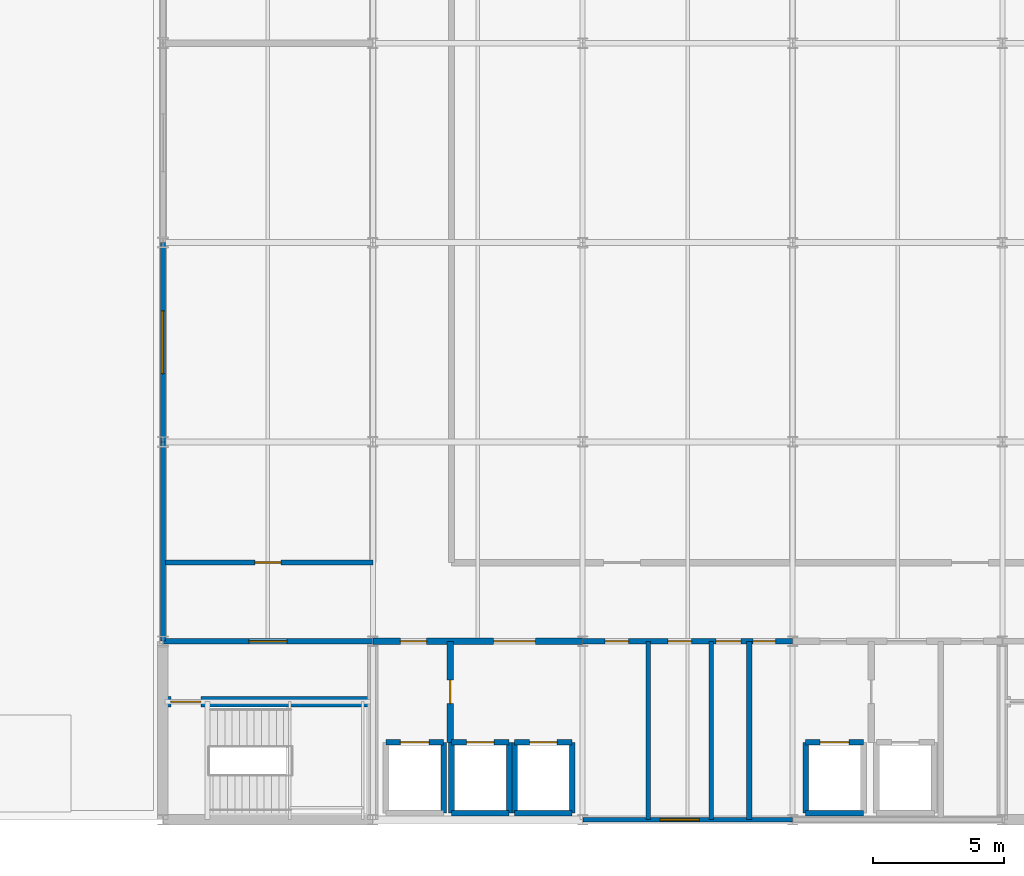
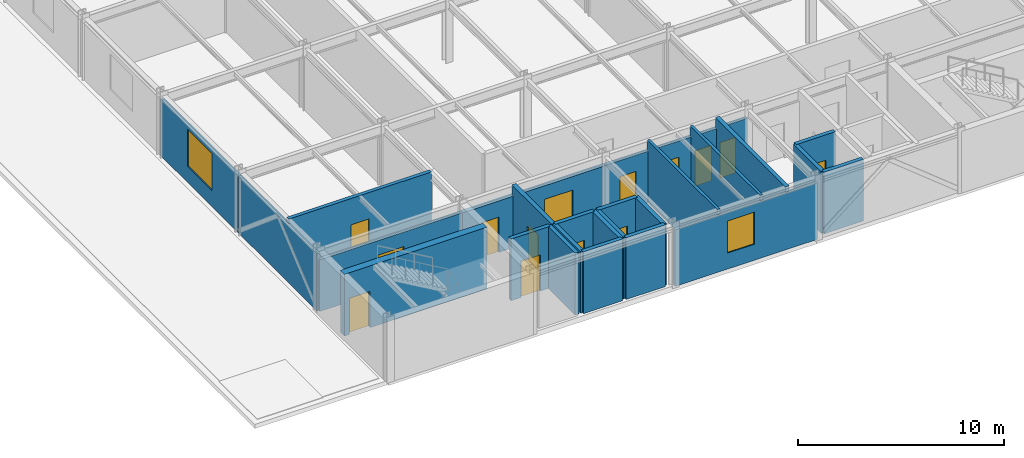
# One storey, part 40 of 46: 25 walls, 14 doors, 2 windows, 16 openings.
"""IFC4 building model written with IfcOpenShell, lengths in metres."""

from ifc_helpers import new_model, si_unit, direction, frame, frame_2d, origin, place, context, subcontext, project, spatial, rectangle, extrude, material, layer, layer_set, type_object, element, fill, save


model = new_model("IFC4")

# Units and contexts
model_context = context("Model", 3, precision=1e-05, world=origin(), true_north=direction((0.0, 1.0)))
body_context = subcontext(model_context, "Body", "Model", "MODEL_VIEW")
ifc_project = project(units=[si_unit("LENGTHUNIT", "METRE"), si_unit("AREAUNIT", "SQUARE_METRE"), si_unit("VOLUMEUNIT", "CUBIC_METRE"), si_unit("PLANEANGLEUNIT", "RADIAN"), si_unit("MASSUNIT", "GRAM", prefix="KILO")], contexts=[model_context])

# Site, building, storey
site_placement = place(None, origin())
site = spatial("IfcSite", under=ifc_project, at=site_placement, CompositionType="ELEMENT")
building_placement = place(site_placement, origin())
building = spatial("IfcBuilding", under=site, at=building_placement, Name="Shalkamar Park Central Library", CompositionType="ELEMENT")
storey_placement = place(building_placement, frame((0.0, 0.0, 20.39990234375)))
storey = spatial("IfcBuildingStorey", under=building, at=storey_placement, Name="L05", CompositionType="ELEMENT", Elevation=20.39990234375)

# Wall, opening, door
ifc_material_1 = material(Name="Reinforced fire-compartment masonry wall", Category="masonry")
ifc_layer_1 = layer(ifc_material_1, 0.239990234375)
ifc_layer_set_1 = layer_set([ifc_layer_1], Name="CompartmentWall_240")
wall_type_1 = type_object("IfcWallType", Name="Compartment Wall 240", PredefinedType="PARTITIONING", material=ifc_layer_set_1)
wall_1_placement = place(storey_placement, frame((175.949951171875, 251.35009765625, 0.0), z_axis=(0.0, 0.0, 1.0), x_axis=(0.0, 1.0, 0.0)))
wall_1 = element("IfcWall", 1, at=wall_1_placement, inside=storey, type_object=wall_type_1, Name="Interior Partition WL-INT-L05-001", PredefinedType="PARTITIONING", context=body_context, shape_type="SweptSolid", body=[
    extrude(rectangle(XDim=3.849853515625, YDim=0.239990234375, at=frame_2d((1.9248046875, 0.0))), origin(), (0.0, 0.0, 1.0), 3.66015625),
])
opening_1_placement = place(wall_1_placement, frame((1.47509765625, 0.0, 0.0)))
opening_1 = element("IfcOpeningElement", 2, at=opening_1_placement, cuts=wall_1, Name="Opening DR-L05-001", PredefinedType="OPENING", context=body_context, shape_type="SweptSolid", body=[
    extrude(rectangle(XDim=0.89990234375, YDim=2.10009765625, at=frame_2d((0.449951171875, 1.050048828125))), frame((0.0, 0.134765625, 0.0), z_axis=(0.0, -1.0, 0.0), x_axis=(1.0, 0.0, 0.0)), (0.0, 0.0, 1.0), 0.269775390625),
])
ifc_material_2 = material(Name="Steel S355", Category="steel")
door_type_1 = type_object("IfcDoorType", Name="Fire Door Single 900x2100", OperationType="NOTDEFINED", PredefinedType="DOOR", material=ifc_material_2)
door_1_placement = place(opening_1_placement, origin())
door_1 = element("IfcDoor", 3, at=door_1_placement, inside=storey, type_object=door_type_1, Name="Fire Lobby Interconnect Door", OperationType="SINGLE_SWING_LEFT", OverallHeight=2.10009765625, OverallWidth=0.89990234375, PredefinedType="DOOR", context=body_context, shape_type="SweptSolid", body=[
    extrude(rectangle(XDim=0.89990234375, YDim=2.10009765625, at=frame_2d((0.449951171875, 1.050048828125))), frame((0.0, 0.02490234375, 0.0), z_axis=(0.0, -1.0, 0.0), x_axis=(1.0, 0.0, 0.0)), (0.0, 0.0, 1.0), 0.050048828125),
])
fill(opening_1, door_1)

# Wall, openings, doors
wall_2_placement = place(storey_placement, frame((173.0, 255.199951171875, 0.0), z_axis=(0.0, 0.0, 1.0), x_axis=(1.0, 0.0, 0.0)))
wall_2 = element("IfcWall", 4, at=wall_2_placement, inside=storey, type_object=wall_type_1, Name="Interior Partition WL-INT-L05-007", PredefinedType="PARTITIONING", context=body_context, shape_type="SweptSolid", body=[
    extrude(rectangle(XDim=8.0, YDim=0.239990234375, at=frame_2d((4.0, 0.0))), origin(), (0.0, 0.0, 1.0), 3.05810546875),
])
opening_2_placement = place(wall_2_placement, frame((1.050048828125, 0.0, 0.0)))
opening_2 = element("IfcOpeningElement", 5, at=opening_2_placement, cuts=wall_2, Name="Opening DR-L05-003", PredefinedType="OPENING", context=body_context, shape_type="SweptSolid", body=[
    extrude(rectangle(XDim=1.0, YDim=2.10009765625, at=frame_2d((0.5, 1.050048828125))), frame((0.0, 0.134765625, 0.0), z_axis=(0.0, -1.0, 0.0), x_axis=(1.0, 0.0, 0.0)), (0.0, 0.0, 1.0), 0.269775390625),
])
opening_3_placement = place(wall_2_placement, frame((4.60009765625, 0.0, 0.0)))
opening_3 = element("IfcOpeningElement", 6, at=opening_3_placement, cuts=wall_2, Name="Opening DR-L05-004", PredefinedType="OPENING", context=body_context, shape_type="SweptSolid", body=[
    extrude(rectangle(XDim=1.60009765625, YDim=2.25, at=frame_2d((0.800048828125, 1.125))), frame((0.0, 0.134765625, 0.0), z_axis=(0.0, -1.0, 0.0), x_axis=(1.0, 0.0, 0.0)), (0.0, 0.0, 1.0), 0.269775390625),
])
door_type_2 = type_object("IfcDoorType", Name="Fire Door Single 1000x2100", OperationType="NOTDEFINED", PredefinedType="DOOR", material=ifc_material_2)
door_2_placement = place(opening_2_placement, origin())
door_2 = element("IfcDoor", 7, at=door_2_placement, inside=storey, type_object=door_type_2, Name="West Firefighting Lobby Door", OperationType="SINGLE_SWING_LEFT", OverallHeight=2.10009765625, OverallWidth=1.0, PredefinedType="DOOR", context=body_context, shape_type="SweptSolid", body=[
    extrude(rectangle(XDim=1.0, YDim=2.10009765625, at=frame_2d((0.5, 1.050048828125))), frame((0.0, 0.02490234375, 0.0), z_axis=(0.0, -1.0, 0.0), x_axis=(1.0, 0.0, 0.0)), (0.0, 0.0, 1.0), 0.050048828125),
])
fill(opening_2, door_2)
door_type_3 = type_object("IfcDoorType", Name="Interior Door Double 1600x2250", OperationType="DOUBLE_DOOR_SINGLE_SWING", PredefinedType="DOOR", material=ifc_material_2)
door_3_placement = place(opening_3_placement, frame((1.60009765625, 0.0, 0.0), z_axis=(0.0, 0.0, 1.0), x_axis=(-1.0, 0.0, 0.0)))
door_3 = element("IfcDoor", 8, at=door_3_placement, inside=storey, type_object=door_type_3, Name="West Lift Lobby Entrance", OperationType="DOUBLE_DOOR_SINGLE_SWING", OverallHeight=2.25, OverallWidth=1.60009765625, PredefinedType="DOOR", context=body_context, shape_type="SweptSolid", body=[
    extrude(rectangle(XDim=1.60009765625, YDim=2.25, at=frame_2d((0.800048828125, 1.125))), frame((0.0, 0.02490234375, 0.0), z_axis=(0.0, -1.0, 0.0), x_axis=(1.0, 0.0, 0.0)), (0.0, 0.0, 1.0), 0.050048828125),
])
fill(opening_3, door_3)

# Wall, opening, door
ifc_material_3 = material(Name="Fire-rated corridor partition wall", Category="masonry")
ifc_layer_2 = layer(ifc_material_3, 0.199951171875)
ifc_layer_set_2 = layer_set([ifc_layer_2], Name="CorridorFireWall_200")
wall_type_2 = type_object("IfcWallType", Name="Corridor Fire Wall 200", PredefinedType="PARTITIONING", material=ifc_layer_set_2)
wall_3_placement = place(storey_placement, frame((165.0, 255.199951171875, 0.0), z_axis=(0.0, 0.0, 1.0), x_axis=(1.0, 0.0, 0.0)))
wall_3 = element("IfcWall", 9, at=wall_3_placement, inside=storey, type_object=wall_type_2, Name="CORE-T1 Vestibule North Wall (L05)", PredefinedType="PARTITIONING", context=body_context, shape_type="SweptSolid", body=[
    extrude(rectangle(XDim=8.0, YDim=0.199951171875, at=frame_2d((4.0, 0.0))), origin(), (0.0, 0.0, 1.0), 3.05810546875),
])
opening_4_placement = place(wall_3_placement, frame((3.27490234375, 0.0, 0.0)))
opening_4 = element("IfcOpeningElement", 10, at=opening_4_placement, cuts=wall_3, Name="Opening DR-ST-T1-L05-VEST", PredefinedType="OPENING", context=body_context, shape_type="SweptSolid", body=[
    extrude(rectangle(XDim=1.449951171875, YDim=2.199951171875, at=frame_2d((0.72509765625, 1.10009765625))), frame((0.0, 0.11474609375, 0.0), z_axis=(0.0, -1.0, 0.0), x_axis=(1.0, 0.0, 0.0)), (0.0, 0.0, 1.0), 0.229736328125),
])
door_type_4 = type_object("IfcDoorType", Name="Stair Vestibule Door 1450x2200", OperationType="DOUBLE_DOOR_SINGLE_SWING", PredefinedType="DOOR", material=ifc_material_2)
door_4_placement = place(opening_4_placement, frame((1.449951171875, 0.0, 0.0), z_axis=(0.0, 0.0, 1.0), x_axis=(-1.0, 0.0, 0.0)))
door_4 = element("IfcDoor", 11, at=door_4_placement, inside=storey, type_object=door_type_4, Name="Protected Stair ST-T1 Vestibule Door (L05)", OperationType="DOUBLE_DOOR_SINGLE_SWING", OverallHeight=2.199951171875, OverallWidth=1.449951171875, PredefinedType="DOOR", context=body_context, shape_type="SweptSolid", body=[
    extrude(rectangle(XDim=1.449951171875, YDim=2.199951171875, at=frame_2d((0.72509765625, 1.10009765625))), frame((0.0, 0.02490234375, 0.0), z_axis=(0.0, -1.0, 0.0), x_axis=(1.0, 0.0, 0.0)), (0.0, 0.0, 1.0), 0.050048828125),
])
fill(opening_4, door_4)

# Wall, openings, doors
wall_4_placement = place(storey_placement, frame((181.0, 255.199951171875, 0.0), z_axis=(0.0, 0.0, 1.0), x_axis=(1.0, 0.0, 0.0)))
wall_4 = element("IfcWall", 12, at=wall_4_placement, inside=storey, type_object=wall_type_2, Name="Interior Partition WL-INT-L05-008", PredefinedType="PARTITIONING", context=body_context, shape_type="SweptSolid", body=[
    extrude(rectangle(XDim=8.0, YDim=0.199951171875, at=frame_2d((4.0, 0.0))), origin(), (0.0, 0.0, 1.0), 3.05810546875),
])
opening_5_placement = place(wall_4_placement, frame((0.85009765625, 0.0, 0.0)))
opening_5 = element("IfcOpeningElement", 13, at=opening_5_placement, cuts=wall_4, Name="Opening DR-L05-005", PredefinedType="OPENING", context=body_context, shape_type="SweptSolid", body=[
    extrude(rectangle(XDim=0.89990234375, YDim=2.10009765625, at=frame_2d((0.449951171875, 1.050048828125))), frame((0.0, 0.11474609375, 0.0), z_axis=(0.0, -1.0, 0.0), x_axis=(1.0, 0.0, 0.0)), (0.0, 0.0, 1.0), 0.229736328125),
])
opening_6_placement = place(wall_4_placement, frame((3.25, 0.0, 0.0)))
opening_6 = element("IfcOpeningElement", 14, at=opening_6_placement, cuts=wall_4, Name="Opening DR-L05-006", PredefinedType="OPENING", context=body_context, shape_type="SweptSolid", body=[
    extrude(rectangle(XDim=0.89990234375, YDim=2.10009765625, at=frame_2d((0.449951171875, 1.050048828125))), frame((0.0, 0.11474609375, 0.0), z_axis=(0.0, -1.0, 0.0), x_axis=(1.0, 0.0, 0.0)), (0.0, 0.0, 1.0), 0.229736328125),
])
opening_7_placement = place(wall_4_placement, frame((5.074951171875, 0.0, 0.0)))
opening_7 = element("IfcOpeningElement", 15, at=opening_7_placement, cuts=wall_4, Name="Opening DR-L05-007", PredefinedType="OPENING", context=body_context, shape_type="SweptSolid", body=[
    extrude(rectangle(XDim=0.949951171875, YDim=2.10009765625, at=frame_2d((0.47509765625, 1.050048828125))), frame((0.0, 0.11474609375, 0.0), z_axis=(0.0, -1.0, 0.0), x_axis=(1.0, 0.0, 0.0)), (0.0, 0.0, 1.0), 0.229736328125),
])
opening_8_placement = place(wall_4_placement, frame((6.5, 0.0, 0.0)))
opening_8 = element("IfcOpeningElement", 16, at=opening_8_placement, cuts=wall_4, Name="Opening DR-L05-008", PredefinedType="OPENING", context=body_context, shape_type="SweptSolid", body=[
    extrude(rectangle(XDim=0.85009765625, YDim=2.10009765625, at=frame_2d((0.425048828125, 1.050048828125))), frame((0.0, 0.11474609375, 0.0), z_axis=(0.0, -1.0, 0.0), x_axis=(1.0, 0.0, 0.0)), (0.0, 0.0, 1.0), 0.229736328125),
])
door_type_5 = type_object("IfcDoorType", Name="Fire Door Riser 850x2100", OperationType="NOTDEFINED", PredefinedType="DOOR", material=ifc_material_2)
door_5_placement = place(opening_8_placement, frame((0.85009765625, 0.0, 0.0), z_axis=(0.0, 0.0, 1.0), x_axis=(-1.0, 0.0, 0.0)))
door_5 = element("IfcDoor", 17, at=door_5_placement, inside=storey, type_object=door_type_5, Name="Electrical Riser Access Door", OperationType="SINGLE_SWING_LEFT", OverallHeight=2.10009765625, OverallWidth=0.85009765625, PredefinedType="DOOR", context=body_context, shape_type="SweptSolid", body=[
    extrude(rectangle(XDim=0.85009765625, YDim=2.10009765625, at=frame_2d((0.425048828125, 1.050048828125))), frame((0.0, 0.02490234375, 0.0), z_axis=(0.0, -1.0, 0.0), x_axis=(1.0, 0.0, 0.0)), (0.0, 0.0, 1.0), 0.050048828125),
])
fill(opening_8, door_5)
door_type_6 = type_object("IfcDoorType", Name="Interior Door Single 900x2100", OperationType="NOTDEFINED", PredefinedType="DOOR", material=ifc_material_2)
door_6_placement = place(opening_5_placement, frame((0.89990234375, 0.0, 0.0), z_axis=(0.0, 0.0, 1.0), x_axis=(-1.0, 0.0, 0.0)))
door_6 = element("IfcDoor", 18, at=door_6_placement, inside=storey, type_object=door_type_6, Name="Male WC Door", OperationType="SINGLE_SWING_RIGHT", OverallHeight=2.10009765625, OverallWidth=0.89990234375, PredefinedType="DOOR", context=body_context, shape_type="SweptSolid", body=[
    extrude(rectangle(XDim=0.89990234375, YDim=2.10009765625, at=frame_2d((0.449951171875, 1.050048828125))), frame((0.0, 0.02490234375, 0.0), z_axis=(0.0, -1.0, 0.0), x_axis=(1.0, 0.0, 0.0)), (0.0, 0.0, 1.0), 0.050048828125),
])
fill(opening_5, door_6)
door_7_placement = place(opening_6_placement, frame((0.89990234375, 0.0, 0.0), z_axis=(0.0, 0.0, 1.0), x_axis=(-1.0, 0.0, 0.0)))
door_7 = element("IfcDoor", 19, at=door_7_placement, inside=storey, type_object=door_type_6, Name="Female WC Door", OperationType="SINGLE_SWING_RIGHT", OverallHeight=2.10009765625, OverallWidth=0.89990234375, PredefinedType="DOOR", context=body_context, shape_type="SweptSolid", body=[
    extrude(rectangle(XDim=0.89990234375, YDim=2.10009765625, at=frame_2d((0.449951171875, 1.050048828125))), frame((0.0, 0.02490234375, 0.0), z_axis=(0.0, -1.0, 0.0), x_axis=(1.0, 0.0, 0.0)), (0.0, 0.0, 1.0), 0.050048828125),
])
fill(opening_6, door_7)
door_type_7 = type_object("IfcDoorType", Name="Interior Door Single 950x2100", OperationType="NOTDEFINED", PredefinedType="DOOR", material=ifc_material_2)
door_8_placement = place(opening_7_placement, frame((0.949951171875, 0.0, 0.0), z_axis=(0.0, 0.0, 1.0), x_axis=(-1.0, 0.0, 0.0)))
door_8 = element("IfcDoor", 20, at=door_8_placement, inside=storey, type_object=door_type_7, Name="Universal Accessible WC Door", OperationType="SINGLE_SWING_LEFT", OverallHeight=2.10009765625, OverallWidth=0.949951171875, PredefinedType="DOOR", context=body_context, shape_type="SweptSolid", body=[
    extrude(rectangle(XDim=0.949951171875, YDim=2.10009765625, at=frame_2d((0.47509765625, 1.050048828125))), frame((0.0, 0.02490234375, 0.0), z_axis=(0.0, -1.0, 0.0), x_axis=(1.0, 0.0, 0.0)), (0.0, 0.0, 1.0), 0.050048828125),
])
fill(opening_7, door_8)

# Wall, opening, door
wall_5_placement = place(storey_placement, frame((165.0, 258.199951171875, 0.0), z_axis=(0.0, 0.0, 1.0), x_axis=(1.0, 0.0, 0.0)))
wall_5 = element("IfcWall", 21, at=wall_5_placement, inside=storey, type_object=wall_type_2, Name="Interior Partition WL-INT-L05-011", PredefinedType="PARTITIONING", context=body_context, shape_type="SweptSolid", body=[
    extrude(rectangle(XDim=8.0, YDim=0.199951171875, at=frame_2d((4.0, 0.0))), origin(), (0.0, 0.0, 1.0), 3.66015625),
])
opening_9_placement = place(wall_5_placement, frame((3.5, 0.0, 0.0)))
opening_9 = element("IfcOpeningElement", 22, at=opening_9_placement, cuts=wall_5, Name="Opening DR-L05-013", PredefinedType="OPENING", context=body_context, shape_type="SweptSolid", body=[
    extrude(rectangle(XDim=1.0, YDim=2.10009765625, at=frame_2d((0.5, 1.050048828125))), frame((0.0, 0.11474609375, 0.0), z_axis=(0.0, -1.0, 0.0), x_axis=(1.0, 0.0, 0.0)), (0.0, 0.0, 1.0), 0.229736328125),
])
door_9_placement = place(opening_9_placement, origin())
door_9 = element("IfcDoor", 23, at=door_9_placement, inside=storey, type_object=door_type_2, Name="L05 West Stack Compartment Door", OperationType="SINGLE_SWING_RIGHT", OverallHeight=2.10009765625, OverallWidth=1.0, PredefinedType="DOOR", context=body_context, shape_type="SweptSolid", body=[
    extrude(rectangle(XDim=1.0, YDim=2.10009765625, at=frame_2d((0.5, 1.050048828125))), frame((0.0, 0.02490234375, 0.0), z_axis=(0.0, -1.0, 0.0), x_axis=(1.0, 0.0, 0.0)), (0.0, 0.0, 1.0), 0.050048828125),
])
fill(opening_9, door_9)

# Wall
ifc_material_4 = material(Name="Concrete C40/50", Category="concrete")
ifc_layer_3 = layer(ifc_material_4, 0.219970703125)
ifc_layer_set_3 = layer_set([ifc_layer_3], Name="Concrete C40/50")
wall_type_3 = type_object("IfcWallType", Name="Lift Hoistway Shear Wall 220", PredefinedType="SHEAR", material=ifc_layer_set_3)
wall_6_placement = place(storey_placement, frame((175.699951171875, 248.64990234375, 0.0), z_axis=(0.0, 0.0, 1.0), x_axis=(0.0, 1.0, 0.0)))
element("IfcWall", 24, at=wall_6_placement, inside=storey, type_object=wall_type_3, Name="Lift FFL-01 Hoistway East Wall (L05)", PredefinedType="SHEAR", context=body_context, shape_type="SweptSolid", body=[
    extrude(rectangle(XDim=2.7001953125, YDim=0.219970703125, at=frame_2d((1.35009765625, 0.0))), origin(), (0.0, 0.0, 1.0), 3.66015625),
])

# Wall, opening, door
wall_7_placement = place(storey_placement, frame((173.5, 251.35009765625, 0.0), z_axis=(0.0, 0.0, 1.0), x_axis=(1.0, 0.0, 0.0)))
wall_7 = element("IfcWall", 25, at=wall_7_placement, inside=storey, type_object=wall_type_3, Name="Lift FFL-01 Hoistway Front Wall (L05)", PredefinedType="SHEAR", context=body_context, shape_type="SweptSolid", body=[
    extrude(rectangle(XDim=2.199951171875, YDim=0.219970703125, at=frame_2d((1.10009765625, 0.0))), origin(), (0.0, 0.0, 1.0), 3.66015625),
])
opening_10_placement = place(wall_7_placement, frame((0.550048828125, 0.0, 0.0)))
opening_10 = element("IfcOpeningElement", 26, at=opening_10_placement, cuts=wall_7, Name="Opening LD-FFL-01-L05", PredefinedType="OPENING", context=body_context, shape_type="SweptSolid", body=[
    extrude(rectangle(XDim=1.10009765625, YDim=2.14990234375, at=frame_2d((0.550048828125, 1.074951171875))), frame((0.0, 0.125, 0.0), z_axis=(0.0, -1.0, 0.0), x_axis=(1.0, 0.0, 0.0)), (0.0, 0.0, 1.0), 0.249755859375),
])
door_type_8 = type_object("IfcDoorType", Name="Fire Lift Landing Door 1100x2150", OperationType="DOUBLE_DOOR_SLIDING", PredefinedType="USERDEFINED", material=ifc_material_2)
door_10_placement = place(opening_10_placement, origin())
door_10 = element("IfcDoor", 27, at=door_10_placement, inside=storey, type_object=door_type_8, Name="Lift FFL-01 Sliding Landing Door (L05)", ObjectType="SLIDING LANDING DOOR", OperationType="DOUBLE_DOOR_SLIDING", OverallHeight=2.14990234375, OverallWidth=1.10009765625, PredefinedType="USERDEFINED", context=body_context, shape_type="SweptSolid", body=[
    extrude(rectangle(XDim=1.10009765625, YDim=2.14990234375, at=frame_2d((0.550048828125, 1.074951171875))), frame((0.0, 0.02490234375, 0.0), z_axis=(0.0, -1.0, 0.0), x_axis=(1.0, 0.0, 0.0)), (0.0, 0.0, 1.0), 0.050048828125),
])
fill(opening_10, door_10)

# Walls
wall_8_placement = place(storey_placement, frame((176.0, 248.64990234375, 0.0), z_axis=(0.0, 0.0, 1.0), x_axis=(1.0, 0.0, 0.0)))
element("IfcWall", 28, at=wall_8_placement, inside=storey, type_object=wall_type_3, Name="Lift LT-01 Hoistway South Wall (L05)", PredefinedType="SHEAR", context=body_context, shape_type="SweptSolid", body=[
    extrude(rectangle(XDim=2.199951171875, YDim=0.219970703125, at=frame_2d((1.10009765625, 0.0))), origin(), (0.0, 0.0, 1.0), 3.66015625),
])
for number, where, z_axis, x_axis, name in (
    (29, (176.0, 248.64990234375, 0.0), (0.0, 0.0, 1.0), (0.0, 1.0, 0.0), "Lift LT-01 Hoistway West Wall (L05)"),
    (30, (178.199951171875, 248.64990234375, 0.0), (0.0, 0.0, 1.0), (0.0, 1.0, 0.0), "Lift LT-01 Hoistway East Wall (L05)"),
):
    element("IfcWall", number, at=place(storey_placement, frame(where, z_axis=z_axis, x_axis=x_axis)), inside=storey, type_object=wall_type_3, Name=name, PredefinedType="SHEAR", context=body_context, shape_type="SweptSolid", body=[
        extrude(rectangle(XDim=2.7001953125, YDim=0.219970703125, at=frame_2d((1.35009765625, 0.0))), origin(), (0.0, 0.0, 1.0), 3.66015625),
    ])

# Wall, opening, door
wall_9_placement = place(storey_placement, frame((176.0, 251.35009765625, 0.0), z_axis=(0.0, 0.0, 1.0), x_axis=(1.0, 0.0, 0.0)))
wall_9 = element("IfcWall", 31, at=wall_9_placement, inside=storey, type_object=wall_type_3, Name="Lift LT-01 Hoistway Front Wall (L05)", PredefinedType="SHEAR", context=body_context, shape_type="SweptSolid", body=[
    extrude(rectangle(XDim=2.199951171875, YDim=0.219970703125, at=frame_2d((1.10009765625, 0.0))), origin(), (0.0, 0.0, 1.0), 3.66015625),
])
opening_11_placement = place(wall_9_placement, frame((0.574951171875, 0.0, 0.0)))
opening_11 = element("IfcOpeningElement", 32, at=opening_11_placement, cuts=wall_9, Name="Opening LD-LT-01-L05", PredefinedType="OPENING", context=body_context, shape_type="SweptSolid", body=[
    extrude(rectangle(XDim=1.050048828125, YDim=2.14990234375, at=frame_2d((0.52490234375, 1.074951171875))), frame((0.0, 0.125, 0.0), z_axis=(0.0, -1.0, 0.0), x_axis=(1.0, 0.0, 0.0)), (0.0, 0.0, 1.0), 0.249755859375),
])
door_type_9 = type_object("IfcDoorType", Name="Passenger Lift Landing Door 1050x2150", OperationType="DOUBLE_DOOR_SLIDING", PredefinedType="USERDEFINED", material=ifc_material_2)
door_11_placement = place(opening_11_placement, origin())
door_11 = element("IfcDoor", 33, at=door_11_placement, inside=storey, type_object=door_type_9, Name="Lift LT-01 Sliding Landing Door (L05)", ObjectType="SLIDING LANDING DOOR", OperationType="DOUBLE_DOOR_SLIDING", OverallHeight=2.14990234375, OverallWidth=1.050048828125, PredefinedType="USERDEFINED", context=body_context, shape_type="SweptSolid", body=[
    extrude(rectangle(XDim=1.050048828125, YDim=2.14990234375, at=frame_2d((0.52490234375, 1.074951171875))), frame((0.0, 0.02490234375, 0.0), z_axis=(0.0, -1.0, 0.0), x_axis=(1.0, 0.0, 0.0)), (0.0, 0.0, 1.0), 0.050048828125),
])
fill(opening_11, door_11)

# Walls
wall_10_placement = place(storey_placement, frame((178.39990234375, 248.64990234375, 0.0), z_axis=(0.0, 0.0, 1.0), x_axis=(1.0, 0.0, 0.0)))
element("IfcWall", 34, at=wall_10_placement, inside=storey, type_object=wall_type_3, Name="Lift LT-02 Hoistway South Wall (L05)", PredefinedType="SHEAR", context=body_context, shape_type="SweptSolid", body=[
    extrude(rectangle(XDim=2.2001953125, YDim=0.219970703125, at=frame_2d((1.10009765625, 0.0))), origin(), (0.0, 0.0, 1.0), 3.66015625),
])
for number, where, z_axis, x_axis, name in (
    (35, (178.39990234375, 248.64990234375, 0.0), (0.0, 0.0, 1.0), (0.0, 1.0, 0.0), "Lift LT-02 Hoistway West Wall (L05)"),
    (36, (180.60009765625, 248.64990234375, 0.0), (0.0, 0.0, 1.0), (0.0, 1.0, 0.0), "Lift LT-02 Hoistway East Wall (L05)"),
):
    element("IfcWall", number, at=place(storey_placement, frame(where, z_axis=z_axis, x_axis=x_axis)), inside=storey, type_object=wall_type_3, Name=name, PredefinedType="SHEAR", context=body_context, shape_type="SweptSolid", body=[
        extrude(rectangle(XDim=2.7001953125, YDim=0.219970703125, at=frame_2d((1.35009765625, 0.0))), origin(), (0.0, 0.0, 1.0), 3.66015625),
    ])

# Wall, opening, door
wall_11_placement = place(storey_placement, frame((178.39990234375, 251.35009765625, 0.0), z_axis=(0.0, 0.0, 1.0), x_axis=(1.0, 0.0, 0.0)))
wall_11 = element("IfcWall", 37, at=wall_11_placement, inside=storey, type_object=wall_type_3, Name="Lift LT-02 Hoistway Front Wall (L05)", PredefinedType="SHEAR", context=body_context, shape_type="SweptSolid", body=[
    extrude(rectangle(XDim=2.2001953125, YDim=0.219970703125, at=frame_2d((1.10009765625, 0.0))), origin(), (0.0, 0.0, 1.0), 3.66015625),
])
opening_12_placement = place(wall_11_placement, frame((0.574951171875, 0.0, 0.0)))
opening_12 = element("IfcOpeningElement", 38, at=opening_12_placement, cuts=wall_11, Name="Opening LD-LT-02-L05", PredefinedType="OPENING", context=body_context, shape_type="SweptSolid", body=[
    extrude(rectangle(XDim=1.050048828125, YDim=2.14990234375, at=frame_2d((0.52490234375, 1.074951171875))), frame((0.0, 0.125, 0.0), z_axis=(0.0, -1.0, 0.0), x_axis=(1.0, 0.0, 0.0)), (0.0, 0.0, 1.0), 0.249755859375),
])
door_12_placement = place(opening_12_placement, origin())
door_12 = element("IfcDoor", 39, at=door_12_placement, inside=storey, type_object=door_type_9, Name="Lift LT-02 Sliding Landing Door (L05)", ObjectType="SLIDING LANDING DOOR", OperationType="DOUBLE_DOOR_SLIDING", OverallHeight=2.14990234375, OverallWidth=1.050048828125, PredefinedType="USERDEFINED", context=body_context, shape_type="SweptSolid", body=[
    extrude(rectangle(XDim=1.050048828125, YDim=2.14990234375, at=frame_2d((0.52490234375, 1.074951171875))), frame((0.0, 0.02490234375, 0.0), z_axis=(0.0, -1.0, 0.0), x_axis=(1.0, 0.0, 0.0)), (0.0, 0.0, 1.0), 0.050048828125),
])
fill(opening_12, door_12)

# Walls
wall_12_placement = place(storey_placement, frame((189.5, 248.64990234375, 0.0), z_axis=(0.0, 0.0, 1.0), x_axis=(1.0, 0.0, 0.0)))
element("IfcWall", 40, at=wall_12_placement, inside=storey, type_object=wall_type_3, Name="Lift FFL-02 Hoistway South Wall (L05)", PredefinedType="SHEAR", context=body_context, shape_type="SweptSolid", body=[
    extrude(rectangle(XDim=2.199951171875, YDim=0.219970703125, at=frame_2d((1.10009765625, 0.0))), origin(), (0.0, 0.0, 1.0), 3.66015625),
])
wall_13_placement = place(storey_placement, frame((189.5, 248.64990234375, 0.0), z_axis=(0.0, 0.0, 1.0), x_axis=(0.0, 1.0, 0.0)))
element("IfcWall", 41, at=wall_13_placement, inside=storey, type_object=wall_type_3, Name="Lift FFL-02 Hoistway West Wall (L05)", PredefinedType="SHEAR", context=body_context, shape_type="SweptSolid", body=[
    extrude(rectangle(XDim=2.7001953125, YDim=0.219970703125, at=frame_2d((1.35009765625, 0.0))), origin(), (0.0, 0.0, 1.0), 3.66015625),
])

# Wall, opening, door
wall_14_placement = place(storey_placement, frame((189.5, 251.35009765625, 0.0), z_axis=(0.0, 0.0, 1.0), x_axis=(1.0, 0.0, 0.0)))
wall_14 = element("IfcWall", 42, at=wall_14_placement, inside=storey, type_object=wall_type_3, Name="Lift FFL-02 Hoistway Front Wall (L05)", PredefinedType="SHEAR", context=body_context, shape_type="SweptSolid", body=[
    extrude(rectangle(XDim=2.199951171875, YDim=0.219970703125, at=frame_2d((1.10009765625, 0.0))), origin(), (0.0, 0.0, 1.0), 3.66015625),
])
opening_13_placement = place(wall_14_placement, frame((0.550048828125, 0.0, 0.0)))
opening_13 = element("IfcOpeningElement", 43, at=opening_13_placement, cuts=wall_14, Name="Opening LD-FFL-02-L05", PredefinedType="OPENING", context=body_context, shape_type="SweptSolid", body=[
    extrude(rectangle(XDim=1.10009765625, YDim=2.14990234375, at=frame_2d((0.550048828125, 1.074951171875))), frame((0.0, 0.125, 0.0), z_axis=(0.0, -1.0, 0.0), x_axis=(1.0, 0.0, 0.0)), (0.0, 0.0, 1.0), 0.249755859375),
])
door_13_placement = place(opening_13_placement, origin())
door_13 = element("IfcDoor", 44, at=door_13_placement, inside=storey, type_object=door_type_8, Name="Lift FFL-02 Sliding Landing Door (L05)", ObjectType="SLIDING LANDING DOOR", OperationType="DOUBLE_DOOR_SLIDING", OverallHeight=2.14990234375, OverallWidth=1.10009765625, PredefinedType="USERDEFINED", context=body_context, shape_type="SweptSolid", body=[
    extrude(rectangle(XDim=1.10009765625, YDim=2.14990234375, at=frame_2d((0.550048828125, 1.074951171875))), frame((0.0, 0.02490234375, 0.0), z_axis=(0.0, -1.0, 0.0), x_axis=(1.0, 0.0, 0.0)), (0.0, 0.0, 1.0), 0.050048828125),
])
fill(opening_13, door_13)

# Walls
ifc_material_5 = material(Name="Moisture-resistant sanitary partition", Category="masonry")
ifc_layer_4 = layer(ifc_material_5, 0.159912109375)
ifc_layer_set_4 = layer_set([ifc_layer_4], Name="PlumbingChaseWall_160")
wall_type_4 = type_object("IfcWallType", Name="Plumbing Chase Wall 160", PredefinedType="PARTITIONING", material=ifc_layer_set_4)
for number, where, z_axis, x_axis, name in (
    (45, (183.5, 248.39990234375, 0.0), (0.0, 0.0, 1.0), (0.0, 1.0, 0.0), "Interior Partition WL-INT-L05-004"),
    (46, (185.89990234375, 248.39990234375, 0.0), (0.0, 0.0, 1.0), (0.0, 1.0, 0.0), "Interior Partition WL-INT-L05-005"),
):
    element("IfcWall", number, at=place(storey_placement, frame(where, z_axis=z_axis, x_axis=x_axis)), inside=storey, type_object=wall_type_4, Name=name, PredefinedType="PARTITIONING", context=body_context, shape_type="SweptSolid", body=[
        extrude(rectangle(XDim=6.800048828125, YDim=0.159912109375, at=frame_2d((3.39990234375, 0.0))), origin(), (0.0, 0.0, 1.0), 3.66015625),
    ])
ifc_material_6 = material(Name="Fire-rated shaft enclosure wall", Category="masonry")
ifc_layer_5 = layer(ifc_material_6, 0.219970703125)
ifc_layer_set_5 = layer_set([ifc_layer_5], Name="ShaftWall_220")
wall_type_5 = type_object("IfcWallType", Name="Shaft Wall 220", PredefinedType="PARTITIONING", material=ifc_layer_set_5)
wall_15_placement = place(storey_placement, frame((187.35009765625, 248.39990234375, 0.0), z_axis=(0.0, 0.0, 1.0), x_axis=(0.0, 1.0, 0.0)))
element("IfcWall", 47, at=wall_15_placement, inside=storey, type_object=wall_type_5, Name="Interior Partition WL-INT-L05-006", PredefinedType="PARTITIONING", context=body_context, shape_type="SweptSolid", body=[
    extrude(rectangle(XDim=6.800048828125, YDim=0.219970703125, at=frame_2d((3.39990234375, 0.0))), origin(), (0.0, 0.0, 1.0), 3.66015625),
])

# Wall, opening, door
ifc_layer_6 = layer(ifc_material_4, 0.39990234375)
ifc_layer_set_6 = layer_set([ifc_layer_6], Name="Concrete C40/50")
wall_type_6 = type_object("IfcWallType", Name="Tower Core Shear Wall 400", PredefinedType="SHEAR", material=ifc_layer_set_6)
wall_16_placement = place(storey_placement, frame((165.0, 252.89990234375, 0.0), z_axis=(0.0, 0.0, 1.0), x_axis=(1.0, 0.0, 0.0)))
wall_16 = element("IfcWall", 48, at=wall_16_placement, inside=storey, type_object=wall_type_6, Name="CORE-T1 Stairwell Wall (L05)", PredefinedType="SHEAR", context=body_context, shape_type="SweptSolid", body=[
    extrude(rectangle(XDim=8.0, YDim=0.39990234375, at=frame_2d((4.0, 0.0))), origin(), (0.0, 0.0, 1.0), 3.66015625),
])
opening_14_placement = place(wall_16_placement, frame((0.300048828125, 0.0, 0.0)))
opening_14 = element("IfcOpeningElement", 49, at=opening_14_placement, cuts=wall_16, Name="Opening DR-ST-T1-L05-IN", PredefinedType="OPENING", context=body_context, shape_type="SweptSolid", body=[
    extrude(rectangle(XDim=1.14990234375, YDim=2.14990234375, at=frame_2d((0.574951171875, 1.074951171875))), frame((0.0, 0.21484375, 0.0), z_axis=(0.0, -1.0, 0.0), x_axis=(1.0, 0.0, 0.0)), (0.0, 0.0, 1.0), 0.4296875),
])
door_type_10 = type_object("IfcDoorType", Name="Stair Core Exit Door 1150x2150", OperationType="NOTDEFINED", PredefinedType="DOOR", material=ifc_material_2)
door_14_placement = place(opening_14_placement, frame((1.14990234375, 0.0, 0.0), z_axis=(0.0, 0.0, 1.0), x_axis=(-1.0, 0.0, 0.0)))
door_14 = element("IfcDoor", 50, at=door_14_placement, inside=storey, type_object=door_type_10, Name="Protected Stair ST-T1 Exit Door (L05)", OperationType="SINGLE_SWING_RIGHT", OverallHeight=2.14990234375, OverallWidth=1.14990234375, PredefinedType="DOOR", context=body_context, shape_type="SweptSolid", body=[
    extrude(rectangle(XDim=1.14990234375, YDim=2.14990234375, at=frame_2d((0.574951171875, 1.074951171875))), frame((0.0, 0.02490234375, 0.0), z_axis=(0.0, -1.0, 0.0), x_axis=(1.0, 0.0, 0.0)), (0.0, 0.0, 1.0), 0.050048828125),
])
fill(opening_14, door_14)

# Wall, opening, window
ifc_material_7 = material(Name="Terracotta insulated wall panel", Category="masonry")
ifc_layer_7 = layer(ifc_material_7, 0.179931640625)
ifc_layer_set_7 = layer_set([ifc_layer_7], Name="TowerSpandrelWall_180")
wall_type_7 = type_object("IfcWallType", Name="Tower Spandrel Wall 180", PredefinedType="SOLIDWALL", material=ifc_layer_set_7)
wall_17_placement = place(storey_placement, frame((181.006103515625, 248.39990234375, 0.0), z_axis=(0.0, 0.0, 1.0), x_axis=(1.0, 0.0, 0.0)))
wall_17 = element("IfcWall", 51, at=wall_17_placement, inside=storey, type_object=wall_type_7, Name="Exterior Facade Wall WL-EXT-L05-128", PredefinedType="SOLIDWALL", context=body_context, shape_type="SweptSolid", body=[
    extrude(rectangle(XDim=7.98779296875, YDim=0.179931640625, at=frame_2d((3.993896484375, 0.0))), origin(), (0.0, 0.0, 1.0), 3.34814453125),
])
opening_15_placement = place(wall_17_placement, frame((2.944091796875, 0.0, 0.949951171875)))
opening_15 = element("IfcOpeningElement", 52, at=opening_15_placement, cuts=wall_17, Name="Opening WN-14", PredefinedType="OPENING", context=body_context, shape_type="SweptSolid", body=[
    extrude(rectangle(XDim=1.5, YDim=1.89990234375, at=frame_2d((0.75, 0.949951171875))), frame((0.0, 0.10498046875, 0.0), z_axis=(0.0, -1.0, 0.0), x_axis=(1.0, 0.0, 0.0)), (0.0, 0.0, 1.0), 0.209716796875),
])
ifc_material_8 = material(Name="Thermally broken aluminium and triple low-e glass", Category="glass")
window_type_1 = type_object("IfcWindowType", Name="Tower Window 1500x1900", PartitioningType="SINGLE_PANEL", PredefinedType="WINDOW", material=ifc_material_8)
window_1_placement = place(opening_15_placement, origin())
window_1 = element("IfcWindow", 53, at=window_1_placement, inside=storey, type_object=window_type_1, Name="Facade Window WN-L05-085", OverallHeight=1.89990234375, OverallWidth=1.5, PartitioningType="SINGLE_PANEL", PredefinedType="WINDOW", context=body_context, shape_type="SweptSolid", body=[
    extrude(rectangle(XDim=1.5, YDim=1.89990234375, at=frame_2d((0.75, 0.949951171875))), frame((0.0, 0.030029296875, 0.0), z_axis=(0.0, -1.0, 0.0), x_axis=(1.0, 0.0, 0.0)), (0.0, 0.0, 1.0), 0.06005859375),
])
fill(opening_15, window_1)

# Wall
wall_18_placement = place(storey_placement, frame((165.0, 255.2060546875, 0.0), z_axis=(0.0, 0.0, 1.0), x_axis=(0.0, 1.0, 0.0)))
element("IfcWall", 54, at=wall_18_placement, inside=storey, type_object=wall_type_7, Name="Exterior Facade Wall WL-EXT-L05-134", PredefinedType="SOLIDWALL", context=body_context, shape_type="SweptSolid", body=[
    extrude(rectangle(XDim=7.587890625, YDim=0.179931640625, at=frame_2d((3.7939453125, 0.0))), origin(), (0.0, 0.0, 1.0), 3.38818359375),
])

# Wall, opening, window
wall_19_placement = place(storey_placement, frame((165.0, 262.805908203125, 0.0), z_axis=(0.0, 0.0, 1.0), x_axis=(0.0, 1.0, 0.0)))
wall_19 = element("IfcWall", 55, at=wall_19_placement, inside=storey, type_object=wall_type_7, Name="Exterior Facade Wall WL-EXT-L05-135", PredefinedType="SOLIDWALL", context=body_context, shape_type="SweptSolid", body=[
    extrude(rectangle(XDim=7.588134765625, YDim=0.179931640625, at=frame_2d((3.7939453125, 0.0))), origin(), (0.0, 0.0, 1.0), 3.38818359375),
])
opening_16_placement = place(wall_19_placement, frame((2.593994140625, 0.0, 0.949951171875)))
opening_16 = element("IfcOpeningElement", 56, at=opening_16_placement, cuts=wall_19, Name="Opening WN-09", PredefinedType="OPENING", context=body_context, shape_type="SweptSolid", body=[
    extrude(rectangle(XDim=2.39990234375, YDim=2.199951171875, at=frame_2d((1.199951171875, 1.10009765625))), frame((0.0, 0.10498046875, 0.0), z_axis=(0.0, -1.0, 0.0), x_axis=(1.0, 0.0, 0.0)), (0.0, 0.0, 1.0), 0.209716796875),
])
window_type_2 = type_object("IfcWindowType", Name="Tower Window 2400x2200", PartitioningType="DOUBLE_PANEL_VERTICAL", PredefinedType="WINDOW", material=ifc_material_8)
window_2_placement = place(opening_16_placement, origin())
window_2 = element("IfcWindow", 57, at=window_2_placement, inside=storey, type_object=window_type_2, Name="Facade Window WN-L05-088", OverallHeight=2.199951171875, OverallWidth=2.39990234375, PartitioningType="DOUBLE_PANEL_VERTICAL", PredefinedType="WINDOW", context=body_context, shape_type="SweptSolid", body=[
    extrude(rectangle(XDim=2.39990234375, YDim=2.199951171875, at=frame_2d((1.199951171875, 1.10009765625))), frame((0.0, 0.030029296875, 0.0), z_axis=(0.0, -1.0, 0.0), x_axis=(1.0, 0.0, 0.0)), (0.0, 0.0, 1.0), 0.06005859375),
])
fill(opening_16, window_2)

save(model, "model.ifc")
